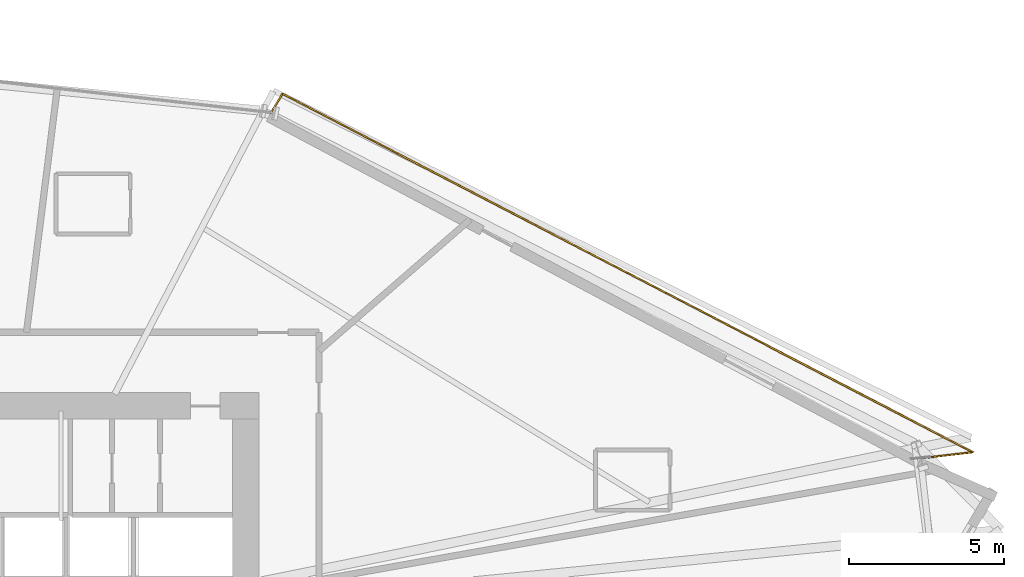
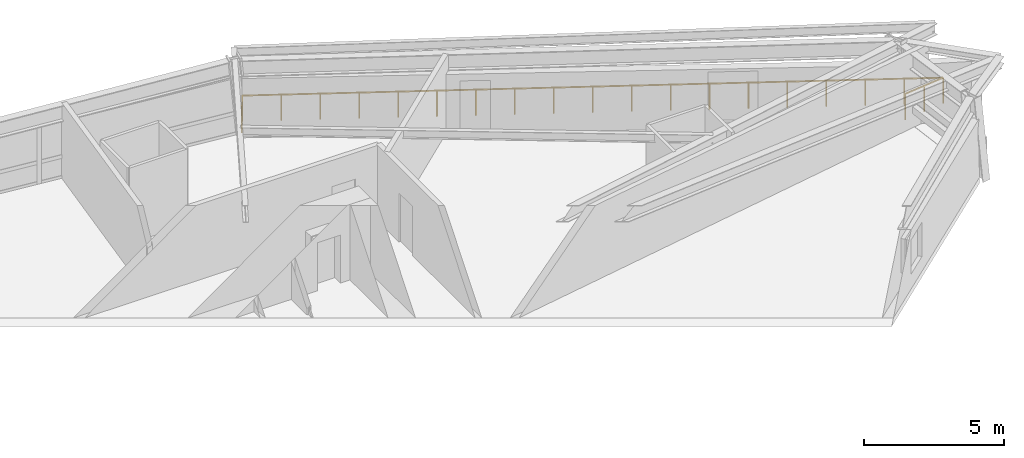
# One storey, part 22 of 22: 1 railing.
"""IFC4 building model written with IfcOpenShell, lengths in metres."""

from ifc_helpers import new_model, si_unit, direction, frame, origin, origin_2d, place, context, subcontext, project, spatial, rectangle, extrude, material, type_object, element, save


model = new_model("IFC4")

# Units and contexts
model_context = context("Model", 3, precision=1e-05, world=origin(), true_north=direction((0.0, 1.0)))
body_context = subcontext(model_context, "Body", "Model", "MODEL_VIEW")
ifc_project = project(units=[si_unit("LENGTHUNIT", "METRE"), si_unit("AREAUNIT", "SQUARE_METRE"), si_unit("VOLUMEUNIT", "CUBIC_METRE"), si_unit("PLANEANGLEUNIT", "RADIAN"), si_unit("MASSUNIT", "GRAM", prefix="KILO")], contexts=[model_context])

# Site, building, storey
site_placement = place(None, origin())
site = spatial("IfcSite", under=ifc_project, at=site_placement, CompositionType="ELEMENT")
building_placement = place(site_placement, origin())
building = spatial("IfcBuilding", under=site, at=building_placement, Name="Olszyna Solenne Hotel", CompositionType="ELEMENT")
storey_placement = place(building_placement, frame((0.0, 0.0, 61.25)))
storey = spatial("IfcBuildingStorey", under=building, at=storey_placement, Name="L15", CompositionType="ELEMENT", Elevation=61.25)

# Railing
ifc_material = material(Name="Anodised bronze aluminium", Category="aluminium")
railing_type = type_object("IfcRailingType", Name="GR-110", PredefinedType="BALUSTRADE", material=ifc_material)
railing_placement = place(storey_placement, frame((68.12646484375, 32.42919921875, 0.0)))
element("IfcRailing", 1, at=railing_placement, inside=storey, type_object=railing_type, Name="Loggia balcony balustrade guard GR-L15-LG1", PredefinedType="BALUSTRADE", context=body_context, shape_type="SweptSolid", body=[
    extrude(rectangle(XDim=0.048095703125, YDim=0.048095703125, at=origin_2d()), frame((0.0, 0.0, 1.1259765625), z_axis=(0.993127929783, 0.117033820264, 0.0), x_axis=(-0.117033820264, 0.993127929783, 0.0)), (0.0, 0.0, 1.0), 1.69189453125),
    extrude(rectangle(XDim=0.048095703125, YDim=0.048095703125, at=origin_2d()), frame((1.68017578125, 0.197998046875, 1.1259765625), z_axis=(-0.887471459396, 0.46086267885, 0.0), x_axis=(-0.46086267885, -0.887471459396, 0.0)), (0.0, 0.0, 1.0), 25.116943359375),
    extrude(rectangle(XDim=0.048095703125, YDim=0.048095703125, at=origin_2d()), frame((-20.6103515625, 11.7734375, 1.1259765625), z_axis=(-0.523175327951, -0.852225073689, 0.0), x_axis=(0.852225073689, -0.523175327951, 0.0)), (0.0, 0.0, 1.0), 0.709228515625),
    extrude(rectangle(XDim=0.0419921875, YDim=0.0419921875, at=origin_2d()), origin(), (0.0, 0.0, 1.0), 1.101806640625),
    extrude(rectangle(XDim=0.0419921875, YDim=0.0419921875, at=origin_2d()), frame((0.840087890625, 0.09912109375, 0.0)), (0.0, 0.0, 1.0), 1.101806640625),
    extrude(rectangle(XDim=0.0419921875, YDim=0.0419921875, at=origin_2d()), frame((1.68017578125, 0.197998046875, 0.0)), (0.0, 0.0, 1.0), 1.101806640625),
    extrude(rectangle(XDim=0.0419921875, YDim=0.0419921875, at=origin_2d()), frame((0.44189453125, 0.841064453125, 0.0)), (0.0, 0.0, 1.0), 1.101806640625),
    extrude(rectangle(XDim=0.0419921875, YDim=0.0419921875, at=origin_2d()), frame((-0.796630859375, 1.484130859375, 0.0)), (0.0, 0.0, 1.0), 1.101806640625),
    extrude(rectangle(XDim=0.0419921875, YDim=0.0419921875, at=origin_2d()), frame((-2.034912109375, 2.127197265625, 0.0)), (0.0, 0.0, 1.0), 1.101806640625),
    extrude(rectangle(XDim=0.0419921875, YDim=0.0419921875, at=origin_2d()), frame((-3.273193359375, 2.770263671875, 0.0)), (0.0, 0.0, 1.0), 1.101806640625),
    extrude(rectangle(XDim=0.0419921875, YDim=0.0419921875, at=origin_2d()), frame((-4.51171875, 3.413330078125, 0.0)), (0.0, 0.0, 1.0), 1.101806640625),
    extrude(rectangle(XDim=0.0419921875, YDim=0.0419921875, at=origin_2d()), frame((-5.75, 4.056396484375, 0.0)), (0.0, 0.0, 1.0), 1.101806640625),
    extrude(rectangle(XDim=0.0419921875, YDim=0.0419921875, at=origin_2d()), frame((-6.98828125, 4.699462890625, 0.0)), (0.0, 0.0, 1.0), 1.101806640625),
    extrude(rectangle(XDim=0.0419921875, YDim=0.0419921875, at=origin_2d()), frame((-8.226806640625, 5.342529296875, 0.0)), (0.0, 0.0, 1.0), 1.101806640625),
    extrude(rectangle(XDim=0.0419921875, YDim=0.0419921875, at=origin_2d()), frame((-9.465087890625, 5.98583984375, 0.0)), (0.0, 0.0, 1.0), 1.101806640625),
    extrude(rectangle(XDim=0.0419921875, YDim=0.0419921875, at=origin_2d()), frame((-10.703369140625, 6.62890625, 0.0)), (0.0, 0.0, 1.0), 1.101806640625),
    extrude(rectangle(XDim=0.0419921875, YDim=0.0419921875, at=origin_2d()), frame((-11.94189453125, 7.27197265625, 0.0)), (0.0, 0.0, 1.0), 1.101806640625),
    extrude(rectangle(XDim=0.0419921875, YDim=0.0419921875, at=origin_2d()), frame((-13.18017578125, 7.9150390625, 0.0)), (0.0, 0.0, 1.0), 1.101806640625),
    extrude(rectangle(XDim=0.0419921875, YDim=0.0419921875, at=origin_2d()), frame((-14.41845703125, 8.55810546875, 0.0)), (0.0, 0.0, 1.0), 1.101806640625),
    extrude(rectangle(XDim=0.0419921875, YDim=0.0419921875, at=origin_2d()), frame((-15.656982421875, 9.201171875, 0.0)), (0.0, 0.0, 1.0), 1.101806640625),
    extrude(rectangle(XDim=0.0419921875, YDim=0.0419921875, at=origin_2d()), frame((-16.895263671875, 9.84423828125, 0.0)), (0.0, 0.0, 1.0), 1.101806640625),
    extrude(rectangle(XDim=0.0419921875, YDim=0.0419921875, at=origin_2d()), frame((-18.133544921875, 10.4873046875, 0.0)), (0.0, 0.0, 1.0), 1.101806640625),
    extrude(rectangle(XDim=0.0419921875, YDim=0.0419921875, at=origin_2d()), frame((-19.3720703125, 11.13037109375, 0.0)), (0.0, 0.0, 1.0), 1.101806640625),
    extrude(rectangle(XDim=0.0419921875, YDim=0.0419921875, at=origin_2d()), frame((-20.6103515625, 11.7734375, 0.0)), (0.0, 0.0, 1.0), 1.101806640625),
    extrude(rectangle(XDim=0.0419921875, YDim=0.0419921875, at=origin_2d()), frame((-20.9814453125, 11.1689453125, 0.0)), (0.0, 0.0, 1.0), 1.101806640625),
])

save(model, "model.ifc")
